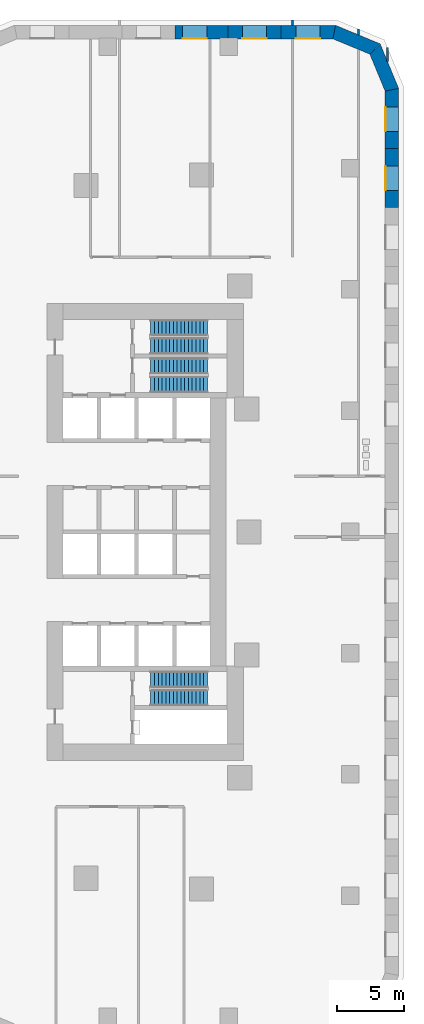
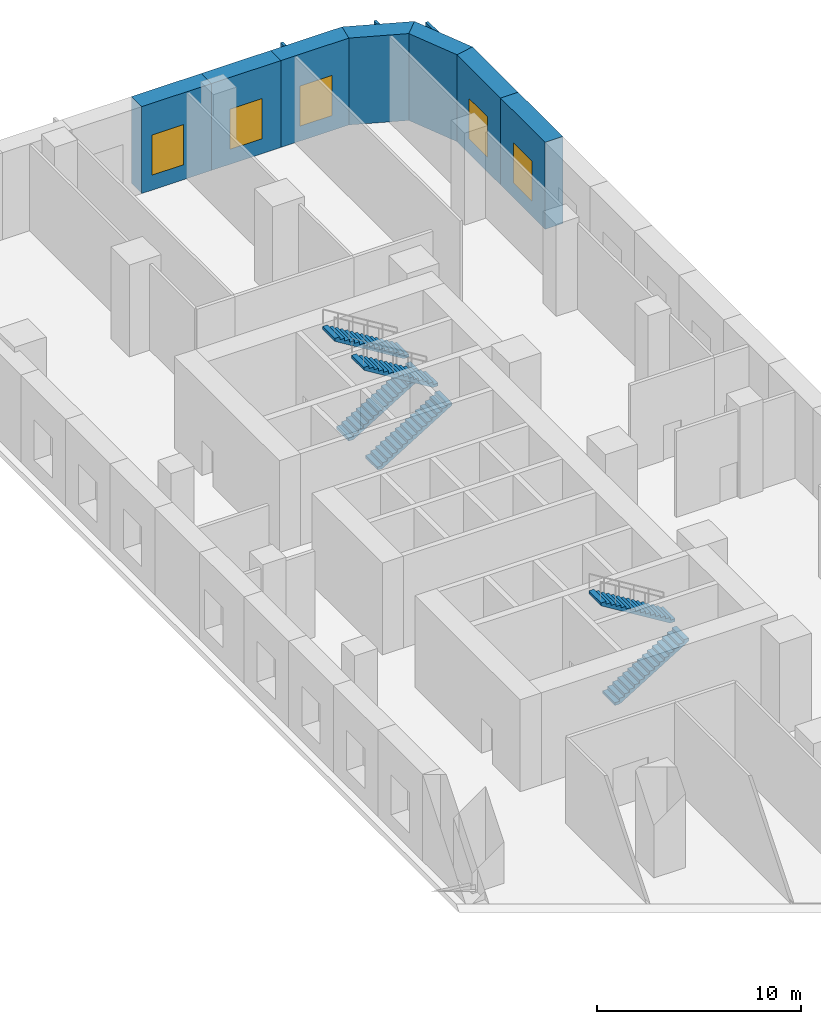
# One storey, part 6 of 13: 10 walls, 6 stair flights, 5 windows, 5 openings, 3 elements without a shape of their own.
"""IFC4 building model written with IfcOpenShell, lengths in metres."""

from ifc_helpers import new_model, si_unit, direction, frame, frame_2d, origin, place, context, subcontext, project, spatial, polyline, rectangle, outline, extrude, material, layer, layer_set, type_object, element, fill, aggregate, save


model = new_model("IFC4")

# Units and contexts
model_context = context("Model", 3, precision=1e-05, world=origin(), true_north=direction((0.0, 1.0)))
body_context = subcontext(model_context, "Body", "Model", "MODEL_VIEW")
ifc_project = project(units=[si_unit("LENGTHUNIT", "METRE"), si_unit("AREAUNIT", "SQUARE_METRE"), si_unit("VOLUMEUNIT", "CUBIC_METRE"), si_unit("PLANEANGLEUNIT", "RADIAN"), si_unit("MASSUNIT", "GRAM", prefix="KILO")], contexts=[model_context])

# Site, building, storey
site_placement = place(None, origin())
site = spatial("IfcSite", under=ifc_project, at=site_placement, CompositionType="ELEMENT")
building_placement = place(site_placement, origin())
building = spatial("IfcBuilding", under=site, at=building_placement, Name="Ostrand Prow Hotel Tower", CompositionType="ELEMENT")
storey_placement = place(building_placement, frame((0.0, 0.0, 13.5)))
storey = spatial("IfcBuildingStorey", under=building, at=storey_placement, Name="L02", CompositionType="ELEMENT", Elevation=13.5)

# Walls
ifc_material_1 = material(Name="Plasterboard partition")
ifc_layer_1 = layer(ifc_material_1, 0.14990234375)
ifc_layer_set_1 = layer_set([ifc_layer_1], Name="Plasterboard partition")
wall_type_1 = type_object("IfcWallType", Name="Partition 150 room partition", PredefinedType="PARTITIONING", material=ifc_layer_set_1)
wall_1_placement = place(storey_placement, frame((67.729736328125, 37.60009765625, 0.0), z_axis=(0.0, 0.0, 1.0), x_axis=(0.0, 1.0, 0.0)))
element("IfcWall", 1, at=wall_1_placement, inside=storey, type_object=wall_type_1, Name="ROOM PARTITION", PredefinedType="PARTITIONING", context=body_context, shape_type="SweptSolid", body=[
    extrude(rectangle(XDim=0.39990234375, YDim=0.14990234375, at=frame_2d((0.199951171875, 0.0))), origin(), (0.0, 0.0, 1.0), 5.14990234375),
])
wall_2_placement = place(storey_placement, frame((72.630615234375, 36.8916015625, 0.0), z_axis=(0.0, 0.0, 1.0), x_axis=(0.0, 1.0, 0.0)))
element("IfcWall", 2, at=wall_2_placement, inside=storey, type_object=wall_type_1, Name="ROOM PARTITION", PredefinedType="PARTITIONING", context=body_context, shape_type="SweptSolid", body=[
    extrude(rectangle(XDim=0.43310546875, YDim=0.14990234375, at=frame_2d((0.216552734375, 0.0))), origin(), (0.0, 0.0, 1.0), 5.14990234375),
])
wall_3_placement = place(storey_placement, frame((74.77490234375, 34.91259765625, 0.0), z_axis=(0.0, 0.0, 1.0), x_axis=(0.0, 1.0, 0.0)))
element("IfcWall", 3, at=wall_3_placement, inside=storey, type_object=wall_type_1, Name="ROOM PARTITION", PredefinedType="PARTITIONING", context=body_context, shape_type="SweptSolid", body=[
    extrude(rectangle(XDim=1.04541015625, YDim=0.14990234375, at=frame_2d((0.522705078125, 0.0))), origin(), (0.0, 0.0, 1.0), 5.14990234375),
])

# Wall, opening, window
ifc_material_2 = material(Name="Precast concrete C40/50", Category="concrete")
ifc_layer_2 = layer(ifc_material_2, 1.0)
ifc_layer_set_2 = layer_set([ifc_layer_2], Name="Precast concrete C40/50")
wall_type_2 = type_object("IfcWallType", Name="Portal pier wall 1000 mm", PredefinedType="NOTDEFINED", material=ifc_layer_set_2)
wall_4_placement = place(storey_placement, frame((75.10009765625, 24.068603515625, 0.0), z_axis=(0.0, 0.0, 1.0), x_axis=(0.0, 1.0, 0.0)))
wall_4 = element("IfcWall", 4, at=wall_4_placement, inside=storey, type_object=wall_type_2, Name="Portal pier wall L02-PP121", PredefinedType="NOTDEFINED", context=body_context, shape_type="SweptSolid", body=[
    extrude(outline(polyline([(0.0, -0.5), (4.376220703125, -0.5), (4.376220703125, 0.5), (0.0, 0.5), (0.0, -0.5)])), origin(), (0.0, 0.0, 1.0), 5.199951171875),
])
opening_1_placement = place(wall_4_placement, frame((1.2880859375, 0.0, 0.89990234375)))
opening_1 = element("IfcOpeningElement", 5, at=opening_1_placement, cuts=wall_4, Name="Opening WP2", PredefinedType="OPENING", context=body_context, shape_type="SweptSolid", body=[
    extrude(rectangle(XDim=1.800048828125, YDim=2.39990234375, at=frame_2d((0.89990234375, 1.199951171875))), frame((0.0, 0.510009765625, 0.0), z_axis=(0.0, -1.0, 0.0), x_axis=(1.0, 0.0, 0.0)), (0.0, 0.0, 1.0), 1.02001953125),
])
ifc_material_3 = material(Name="Insulated glass in bronze anodised frame", Category="glass")
window_type = type_object("IfcWindowType", Name="Portal window 1800x2400", PartitioningType="SINGLE_PANEL", PredefinedType="WINDOW", material=ifc_material_3)
window_1_placement = place(opening_1_placement, origin())
window_1 = element("IfcWindow", 6, at=window_1_placement, inside=storey, type_object=window_type, Name="Portal window L02-PP121", OverallHeight=2.39990234375, OverallWidth=1.800048828125, PartitioningType="SINGLE_PANEL", PredefinedType="WINDOW", context=body_context, shape_type="SweptSolid", body=[
    extrude(rectangle(XDim=1.800048828125, YDim=2.39990234375, at=frame_2d((0.89990234375, 1.199951171875))), frame((0.0, 0.5, 0.0), z_axis=(0.0, -1.0, 0.0), x_axis=(1.0, 0.0, 0.0)), (0.0, 0.0, 1.0), 0.06005859375),
])
fill(opening_1, window_1)

wall_5_placement = place(storey_placement, frame((75.10009765625, 28.44482421875, 0.0), z_axis=(0.0, 0.0, 1.0), x_axis=(0.0, 1.0, 0.0)))
wall_5 = element("IfcWall", 7, at=wall_5_placement, inside=storey, type_object=wall_type_2, Name="Portal pier wall L02-PP122", PredefinedType="NOTDEFINED", context=body_context, shape_type="SweptSolid", body=[
    extrude(outline(polyline([(0.0, -0.5), (4.475830078125, -0.5), (4.276611328125, 0.5), (0.0, 0.5), (0.0, -0.5)])), origin(), (0.0, 0.0, 1.0), 5.199951171875),
])
opening_2_placement = place(wall_5_placement, frame((1.2880859375, 0.0, 0.89990234375)))
opening_2 = element("IfcOpeningElement", 8, at=opening_2_placement, cuts=wall_5, Name="Opening WP2", PredefinedType="OPENING", context=body_context, shape_type="SweptSolid", body=[
    extrude(rectangle(XDim=1.800048828125, YDim=2.39990234375, at=frame_2d((0.89990234375, 1.199951171875))), frame((0.0, 0.510009765625, 0.0), z_axis=(0.0, -1.0, 0.0), x_axis=(1.0, 0.0, 0.0)), (0.0, 0.0, 1.0), 1.02001953125),
])
window_2_placement = place(opening_2_placement, origin())
window_2 = element("IfcWindow", 9, at=window_2_placement, inside=storey, type_object=window_type, Name="Portal window L02-PP122", OverallHeight=2.39990234375, OverallWidth=1.800048828125, PartitioningType="SINGLE_PANEL", PredefinedType="WINDOW", context=body_context, shape_type="SweptSolid", body=[
    extrude(rectangle(XDim=1.800048828125, YDim=2.39990234375, at=frame_2d((0.89990234375, 1.199951171875))), frame((0.0, 0.5, 0.0), z_axis=(0.0, -1.0, 0.0), x_axis=(1.0, 0.0, 0.0)), (0.0, 0.0, 1.0), 0.06005859375),
])
fill(opening_2, window_2)

# Walls
wall_6_placement = place(storey_placement, frame((75.10009765625, 32.821044921875, 0.0), z_axis=(0.0, 0.0, 1.0), x_axis=(-0.382724875529, 0.923862365102, 0.0)))
element("IfcWall", 10, at=wall_6_placement, inside=storey, type_object=wall_type_2, Name="Portal pier wall L02-PP123", PredefinedType="NOTDEFINED", context=body_context, shape_type="SweptSolid", body=[
    extrude(outline(polyline([(-0.099609375, -0.5), (3.48193359375, -0.5), (3.06787109375, 0.5), (0.099609375, 0.5), (-0.099609375, -0.5)])), origin(), (0.0, 0.0, 1.0), 5.199951171875),
])
wall_7_placement = place(storey_placement, frame((73.8466796875, 35.8466796875, 0.0), z_axis=(0.0, 0.0, 1.0), x_axis=(-0.923862365102, 0.382724875529, 0.0)))
element("IfcWall", 11, at=wall_7_placement, inside=storey, type_object=wall_type_2, Name="Portal pier wall L02-PP124", PredefinedType="NOTDEFINED", context=body_context, shape_type="SweptSolid", body=[
    extrude(outline(polyline([(-0.20703125, -0.5), (3.37451171875, -0.5), (3.17529296875, 0.5), (0.20703125, 0.5), (-0.20703125, -0.5)])), origin(), (0.0, 0.0, 1.0), 5.199951171875),
])

# Wall, opening, window
wall_8_placement = place(storey_placement, frame((70.821044921875, 37.10009765625, 0.0), z_axis=(0.0, 0.0, 1.0), x_axis=(-1.0, 0.0, 0.0)))
wall_8 = element("IfcWall", 12, at=wall_8_placement, inside=storey, type_object=wall_type_2, Name="Portal pier wall L02-PP125", PredefinedType="NOTDEFINED", context=body_context, shape_type="SweptSolid", body=[
    extrude(outline(polyline([(-0.099609375, -0.5), (3.9404296875, -0.5), (3.9404296875, 0.5), (0.099609375, 0.5), (-0.099609375, -0.5)])), origin(), (0.0, 0.0, 1.0), 5.199951171875),
])
opening_3_placement = place(wall_8_placement, frame((1.05029296875, 0.0, 0.89990234375)))
opening_3 = element("IfcOpeningElement", 13, at=opening_3_placement, cuts=wall_8, Name="Opening WP2", PredefinedType="OPENING", context=body_context, shape_type="SweptSolid", body=[
    extrude(rectangle(XDim=1.800048828125, YDim=2.39990234375, at=frame_2d((0.89990234375, 1.199951171875))), frame((0.0, 0.510009765625, 0.0), z_axis=(0.0, -1.0, 0.0), x_axis=(1.0, 0.0, 0.0)), (0.0, 0.0, 1.0), 1.02001953125),
])
window_3_placement = place(opening_3_placement, origin())
window_3 = element("IfcWindow", 14, at=window_3_placement, inside=storey, type_object=window_type, Name="Portal window L02-PP125", OverallHeight=2.39990234375, OverallWidth=1.800048828125, PartitioningType="SINGLE_PANEL", PredefinedType="WINDOW", context=body_context, shape_type="SweptSolid", body=[
    extrude(rectangle(XDim=1.800048828125, YDim=2.39990234375, at=frame_2d((0.89990234375, 1.199951171875))), frame((0.0, 0.5, 0.0), z_axis=(0.0, -1.0, 0.0), x_axis=(1.0, 0.0, 0.0)), (0.0, 0.0, 1.0), 0.06005859375),
])
fill(opening_3, window_3)

wall_9_placement = place(storey_placement, frame((66.880615234375, 37.10009765625, 0.0), z_axis=(0.0, 0.0, 1.0), x_axis=(-1.0, 0.0, 0.0)))
wall_9 = element("IfcWall", 15, at=wall_9_placement, inside=storey, type_object=wall_type_2, Name="Portal pier wall L02-PP126", PredefinedType="NOTDEFINED", context=body_context, shape_type="SweptSolid", body=[
    extrude(outline(polyline([(0.0, -0.5), (3.9404296875, -0.5), (3.9404296875, 0.5), (0.0, 0.5), (0.0, -0.5)])), origin(), (0.0, 0.0, 1.0), 5.199951171875),
])
opening_4_placement = place(wall_9_placement, frame((1.0703125, 0.0, 0.89990234375)))
opening_4 = element("IfcOpeningElement", 16, at=opening_4_placement, cuts=wall_9, Name="Opening WP2", PredefinedType="OPENING", context=body_context, shape_type="SweptSolid", body=[
    extrude(rectangle(XDim=1.800048828125, YDim=2.39990234375, at=frame_2d((0.89990234375, 1.199951171875))), frame((0.0, 0.510009765625, 0.0), z_axis=(0.0, -1.0, 0.0), x_axis=(1.0, 0.0, 0.0)), (0.0, 0.0, 1.0), 1.02001953125),
])
window_4_placement = place(opening_4_placement, origin())
window_4 = element("IfcWindow", 17, at=window_4_placement, inside=storey, type_object=window_type, Name="Portal window L02-PP126", OverallHeight=2.39990234375, OverallWidth=1.800048828125, PartitioningType="SINGLE_PANEL", PredefinedType="WINDOW", context=body_context, shape_type="SweptSolid", body=[
    extrude(rectangle(XDim=1.800048828125, YDim=2.39990234375, at=frame_2d((0.89990234375, 1.199951171875))), frame((0.0, 0.5, 0.0), z_axis=(0.0, -1.0, 0.0), x_axis=(1.0, 0.0, 0.0)), (0.0, 0.0, 1.0), 0.06005859375),
])
fill(opening_4, window_4)

wall_10_placement = place(storey_placement, frame((62.940185546875, 37.10009765625, 0.0), z_axis=(0.0, 0.0, 1.0), x_axis=(-1.0, 0.0, 0.0)))
wall_10 = element("IfcWall", 18, at=wall_10_placement, inside=storey, type_object=wall_type_2, Name="Portal pier wall L02-PP127", PredefinedType="NOTDEFINED", context=body_context, shape_type="SweptSolid", body=[
    extrude(outline(polyline([(0.0, -0.5), (3.940185546875, -0.5), (3.940185546875, 0.5), (0.0, 0.5), (0.0, -0.5)])), origin(), (0.0, 0.0, 1.0), 5.199951171875),
])
opening_5_placement = place(wall_10_placement, frame((1.5703125, 0.0, 0.89990234375)))
opening_5 = element("IfcOpeningElement", 19, at=opening_5_placement, cuts=wall_10, Name="Opening WP2", PredefinedType="OPENING", context=body_context, shape_type="SweptSolid", body=[
    extrude(rectangle(XDim=1.800048828125, YDim=2.39990234375, at=frame_2d((0.89990234375, 1.199951171875))), frame((0.0, 0.510009765625, 0.0), z_axis=(0.0, -1.0, 0.0), x_axis=(1.0, 0.0, 0.0)), (0.0, 0.0, 1.0), 1.02001953125),
])
window_5_placement = place(opening_5_placement, origin())
window_5 = element("IfcWindow", 20, at=window_5_placement, inside=storey, type_object=window_type, Name="Portal window L02-PP127", OverallHeight=2.39990234375, OverallWidth=1.800048828125, PartitioningType="SINGLE_PANEL", PredefinedType="WINDOW", context=body_context, shape_type="SweptSolid", body=[
    extrude(rectangle(XDim=1.800048828125, YDim=2.39990234375, at=frame_2d((0.89990234375, 1.199951171875))), frame((0.0, 0.5, 0.0), z_axis=(0.0, -1.0, 0.0), x_axis=(1.0, 0.0, 0.0)), (0.0, 0.0, 1.0), 0.06005859375),
])
fill(opening_5, window_5)

# Stair, stair flights
ifc_material_4 = material(Name="Concrete C40/50", Category="concrete")
stair_type = type_object("IfcStairType", Name="Exit stair 1200 middle zone", PredefinedType="HALF_TURN_STAIR", material=ifc_material_4)
stair_1_placement = place(storey_placement, origin())
stair_1 = element("IfcStair", 21, at=stair_1_placement, inside=storey, type_object=stair_type, Name="L02 ST1B", PredefinedType="HALF_TURN_STAIR")
ifc_material_5 = material(Name="Concrete C40/50", Category="concrete")
stair_flight_type = type_object("IfcStairFlightType", Name="Stair flight 1200 concrete", PredefinedType="STRAIGHT", material=ifc_material_5)
stair_flight_1_placement = place(storey_placement, frame((57.199951171875, 10.949951171875, 0.0), z_axis=(0.0, 0.0, 1.0), x_axis=(1.0, 0.0, 0.0)))
stair_flight_1 = element("IfcStairFlight", 22, at=stair_flight_1_placement, type_object=stair_flight_type, Name="ST1B flight 1", NumberOfRisers=16, NumberOfTreads=15, PredefinedType="STRAIGHT", RiserHeight=0.171875, TreadLength=0.28, context=body_context, shape_type="SweptSolid", body=[
    extrude(outline(polyline([(0.0, 0.0), (0.0, 0.171875), (0.280029296875, 0.171875), (0.280029296875, 0.34375), (0.56005859375, 0.34375), (0.56005859375, 0.515625), (0.840087890625, 0.515625), (0.840087890625, 0.6875), (1.1201171875, 0.6875), (1.1201171875, 0.859375), (1.39990234375, 0.859375), (1.39990234375, 1.03125), (1.679931640625, 1.03125), (1.679931640625, 1.203125), (1.9599609375, 1.203125), (1.9599609375, 1.375), (2.239990234375, 1.375), (2.239990234375, 1.546875), (2.52001953125, 1.546875), (2.52001953125, 1.71875), (2.800048828125, 1.71875), (2.800048828125, 1.890625), (3.080078125, 1.890625), (3.080078125, 2.0625), (3.360107421875, 2.0625), (3.360107421875, 2.234375), (3.639892578125, 2.234375), (3.639892578125, 2.40625), (3.919921875, 2.40625), (3.919921875, 2.578125), (4.199951171875, 2.578125), (4.199951171875, 2.75), (4.199951171875, 2.40234375), (0.28662109375, 0.0), (0.0, 0.0)])), frame((0.0, 0.60009765625, 0.0), z_axis=(0.0, -1.0, 0.0), x_axis=(1.0, 0.0, 0.0)), (0.0, 0.0, 1.0), 1.199951171875),
])
stair_flight_2_placement = place(storey_placement, frame((61.39990234375, 12.300048828125, 2.75), z_axis=(0.0, 0.0, 1.0), x_axis=(-1.0, 0.0, 0.0)))
stair_flight_2 = element("IfcStairFlight", 23, at=stair_flight_2_placement, type_object=stair_flight_type, Name="ST1B flight 2", NumberOfRisers=16, NumberOfTreads=15, PredefinedType="STRAIGHT", RiserHeight=0.171875, TreadLength=0.28, context=body_context, shape_type="SweptSolid", body=[
    extrude(outline(polyline([(0.0, 0.0), (0.0, 0.171875), (0.280029296875, 0.171875), (0.280029296875, 0.34375), (0.56005859375, 0.34375), (0.56005859375, 0.515625), (0.840087890625, 0.515625), (0.840087890625, 0.6875), (1.1201171875, 0.6875), (1.1201171875, 0.859375), (1.39990234375, 0.859375), (1.39990234375, 1.03125), (1.679931640625, 1.03125), (1.679931640625, 1.203125), (1.9599609375, 1.203125), (1.9599609375, 1.375), (2.239990234375, 1.375), (2.239990234375, 1.546875), (2.52001953125, 1.546875), (2.52001953125, 1.71875), (2.800048828125, 1.71875), (2.800048828125, 1.890625), (3.080078125, 1.890625), (3.080078125, 2.0625), (3.360107421875, 2.0625), (3.360107421875, 2.234375), (3.639892578125, 2.234375), (3.639892578125, 2.40625), (3.919921875, 2.40625), (3.919921875, 2.578125), (4.199951171875, 2.578125), (4.199951171875, 2.75), (4.199951171875, 2.40234375), (0.28662109375, 0.0), (0.0, 0.0)])), frame((0.0, 0.60009765625, 0.0), z_axis=(0.0, -1.0, 0.0), x_axis=(1.0, 0.0, 0.0)), (0.0, 0.0, 1.0), 1.199951171875),
])
aggregate(stair_1, [stair_flight_1, stair_flight_2])

stair_2_placement = place(storey_placement, origin())
stair_2 = element("IfcStair", 24, at=stair_2_placement, inside=storey, type_object=stair_type, Name="L02 ST3B", PredefinedType="HALF_TURN_STAIR")
stair_flight_3_placement = place(storey_placement, frame((57.199951171875, 13.800048828125, 0.0), z_axis=(0.0, 0.0, 1.0), x_axis=(1.0, 0.0, 0.0)))
stair_flight_3 = element("IfcStairFlight", 25, at=stair_flight_3_placement, type_object=stair_flight_type, Name="ST3B flight 1", NumberOfRisers=16, NumberOfTreads=15, PredefinedType="STRAIGHT", RiserHeight=0.171875, TreadLength=0.28, context=body_context, shape_type="SweptSolid", body=[
    extrude(outline(polyline([(0.0, 0.0), (0.0, 0.171875), (0.280029296875, 0.171875), (0.280029296875, 0.34375), (0.56005859375, 0.34375), (0.56005859375, 0.515625), (0.840087890625, 0.515625), (0.840087890625, 0.6875), (1.1201171875, 0.6875), (1.1201171875, 0.859375), (1.39990234375, 0.859375), (1.39990234375, 1.03125), (1.679931640625, 1.03125), (1.679931640625, 1.203125), (1.9599609375, 1.203125), (1.9599609375, 1.375), (2.239990234375, 1.375), (2.239990234375, 1.546875), (2.52001953125, 1.546875), (2.52001953125, 1.71875), (2.800048828125, 1.71875), (2.800048828125, 1.890625), (3.080078125, 1.890625), (3.080078125, 2.0625), (3.360107421875, 2.0625), (3.360107421875, 2.234375), (3.639892578125, 2.234375), (3.639892578125, 2.40625), (3.919921875, 2.40625), (3.919921875, 2.578125), (4.199951171875, 2.578125), (4.199951171875, 2.75), (4.199951171875, 2.40234375), (0.28662109375, 0.0), (0.0, 0.0)])), frame((0.0, 0.60009765625, 0.0), z_axis=(0.0, -1.0, 0.0), x_axis=(1.0, 0.0, 0.0)), (0.0, 0.0, 1.0), 1.199951171875),
])
stair_flight_4_placement = place(storey_placement, frame((61.39990234375, 15.14990234375, 2.75), z_axis=(0.0, 0.0, 1.0), x_axis=(-1.0, 0.0, 0.0)))
stair_flight_4 = element("IfcStairFlight", 26, at=stair_flight_4_placement, type_object=stair_flight_type, Name="ST3B flight 2", NumberOfRisers=16, NumberOfTreads=15, PredefinedType="STRAIGHT", RiserHeight=0.171875, TreadLength=0.28, context=body_context, shape_type="SweptSolid", body=[
    extrude(outline(polyline([(0.0, 0.0), (0.0, 0.171875), (0.280029296875, 0.171875), (0.280029296875, 0.34375), (0.56005859375, 0.34375), (0.56005859375, 0.515625), (0.840087890625, 0.515625), (0.840087890625, 0.6875), (1.1201171875, 0.6875), (1.1201171875, 0.859375), (1.39990234375, 0.859375), (1.39990234375, 1.03125), (1.679931640625, 1.03125), (1.679931640625, 1.203125), (1.9599609375, 1.203125), (1.9599609375, 1.375), (2.239990234375, 1.375), (2.239990234375, 1.546875), (2.52001953125, 1.546875), (2.52001953125, 1.71875), (2.800048828125, 1.71875), (2.800048828125, 1.890625), (3.080078125, 1.890625), (3.080078125, 2.0625), (3.360107421875, 2.0625), (3.360107421875, 2.234375), (3.639892578125, 2.234375), (3.639892578125, 2.40625), (3.919921875, 2.40625), (3.919921875, 2.578125), (4.199951171875, 2.578125), (4.199951171875, 2.75), (4.199951171875, 2.40234375), (0.28662109375, 0.0), (0.0, 0.0)])), frame((0.0, 0.60009765625, 0.0), z_axis=(0.0, -1.0, 0.0), x_axis=(1.0, 0.0, 0.0)), (0.0, 0.0, 1.0), 1.199951171875),
])
aggregate(stair_2, [stair_flight_3, stair_flight_4])

stair_3_placement = place(storey_placement, origin())
stair_3 = element("IfcStair", 27, at=stair_3_placement, inside=storey, type_object=stair_type, Name="L02 ST2B", PredefinedType="HALF_TURN_STAIR")
stair_flight_5_placement = place(storey_placement, frame((57.199951171875, -12.300048828125, 0.0), z_axis=(0.0, 0.0, 1.0), x_axis=(1.0, 0.0, 0.0)))
stair_flight_5 = element("IfcStairFlight", 28, at=stair_flight_5_placement, type_object=stair_flight_type, Name="ST2B flight 1", NumberOfRisers=16, NumberOfTreads=15, PredefinedType="STRAIGHT", RiserHeight=0.171875, TreadLength=0.28, context=body_context, shape_type="SweptSolid", body=[
    extrude(outline(polyline([(0.0, 0.0), (0.0, 0.171875), (0.280029296875, 0.171875), (0.280029296875, 0.34375), (0.56005859375, 0.34375), (0.56005859375, 0.515625), (0.840087890625, 0.515625), (0.840087890625, 0.6875), (1.1201171875, 0.6875), (1.1201171875, 0.859375), (1.39990234375, 0.859375), (1.39990234375, 1.03125), (1.679931640625, 1.03125), (1.679931640625, 1.203125), (1.9599609375, 1.203125), (1.9599609375, 1.375), (2.239990234375, 1.375), (2.239990234375, 1.546875), (2.52001953125, 1.546875), (2.52001953125, 1.71875), (2.800048828125, 1.71875), (2.800048828125, 1.890625), (3.080078125, 1.890625), (3.080078125, 2.0625), (3.360107421875, 2.0625), (3.360107421875, 2.234375), (3.639892578125, 2.234375), (3.639892578125, 2.40625), (3.919921875, 2.40625), (3.919921875, 2.578125), (4.199951171875, 2.578125), (4.199951171875, 2.75), (4.199951171875, 2.40234375), (0.28662109375, 0.0), (0.0, 0.0)])), frame((0.0, 0.60009765625, 0.0), z_axis=(0.0, -1.0, 0.0), x_axis=(1.0, 0.0, 0.0)), (0.0, 0.0, 1.0), 1.199951171875),
])
stair_flight_6_placement = place(storey_placement, frame((61.39990234375, -10.949951171875, 2.75), z_axis=(0.0, 0.0, 1.0), x_axis=(-1.0, 0.0, 0.0)))
stair_flight_6 = element("IfcStairFlight", 29, at=stair_flight_6_placement, type_object=stair_flight_type, Name="ST2B flight 2", NumberOfRisers=16, NumberOfTreads=15, PredefinedType="STRAIGHT", RiserHeight=0.171875, TreadLength=0.28, context=body_context, shape_type="SweptSolid", body=[
    extrude(outline(polyline([(0.0, 0.0), (0.0, 0.171875), (0.280029296875, 0.171875), (0.280029296875, 0.34375), (0.56005859375, 0.34375), (0.56005859375, 0.515625), (0.840087890625, 0.515625), (0.840087890625, 0.6875), (1.1201171875, 0.6875), (1.1201171875, 0.859375), (1.39990234375, 0.859375), (1.39990234375, 1.03125), (1.679931640625, 1.03125), (1.679931640625, 1.203125), (1.9599609375, 1.203125), (1.9599609375, 1.375), (2.239990234375, 1.375), (2.239990234375, 1.546875), (2.52001953125, 1.546875), (2.52001953125, 1.71875), (2.800048828125, 1.71875), (2.800048828125, 1.890625), (3.080078125, 1.890625), (3.080078125, 2.0625), (3.360107421875, 2.0625), (3.360107421875, 2.234375), (3.639892578125, 2.234375), (3.639892578125, 2.40625), (3.919921875, 2.40625), (3.919921875, 2.578125), (4.199951171875, 2.578125), (4.199951171875, 2.75), (4.199951171875, 2.40234375), (0.28662109375, 0.0), (0.0, 0.0)])), frame((0.0, 0.60009765625, 0.0), z_axis=(0.0, -1.0, 0.0), x_axis=(1.0, 0.0, 0.0)), (0.0, 0.0, 1.0), 1.199951171875),
])
aggregate(stair_3, [stair_flight_5, stair_flight_6])

save(model, "model.ifc")
